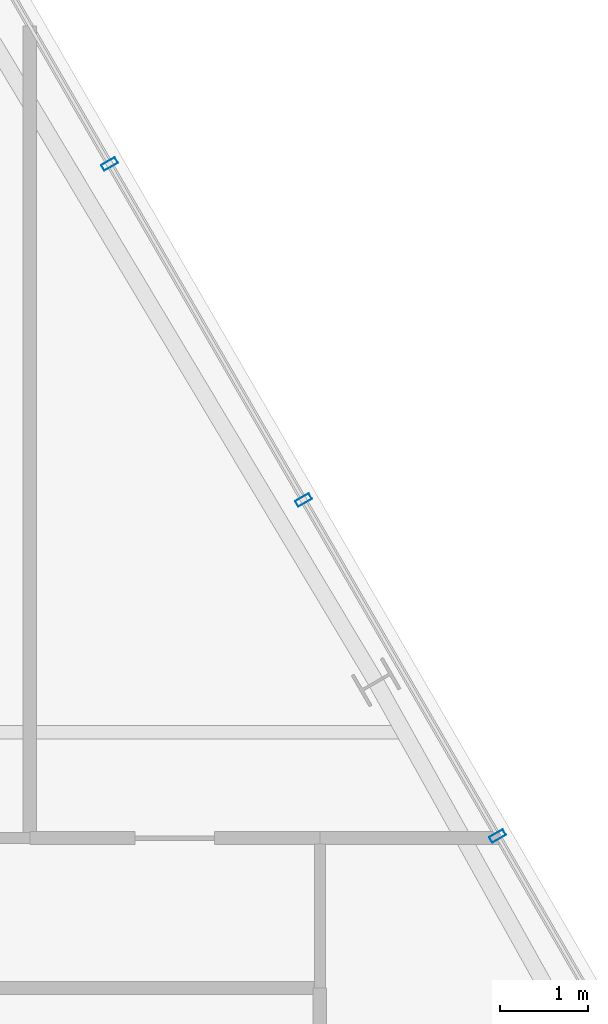
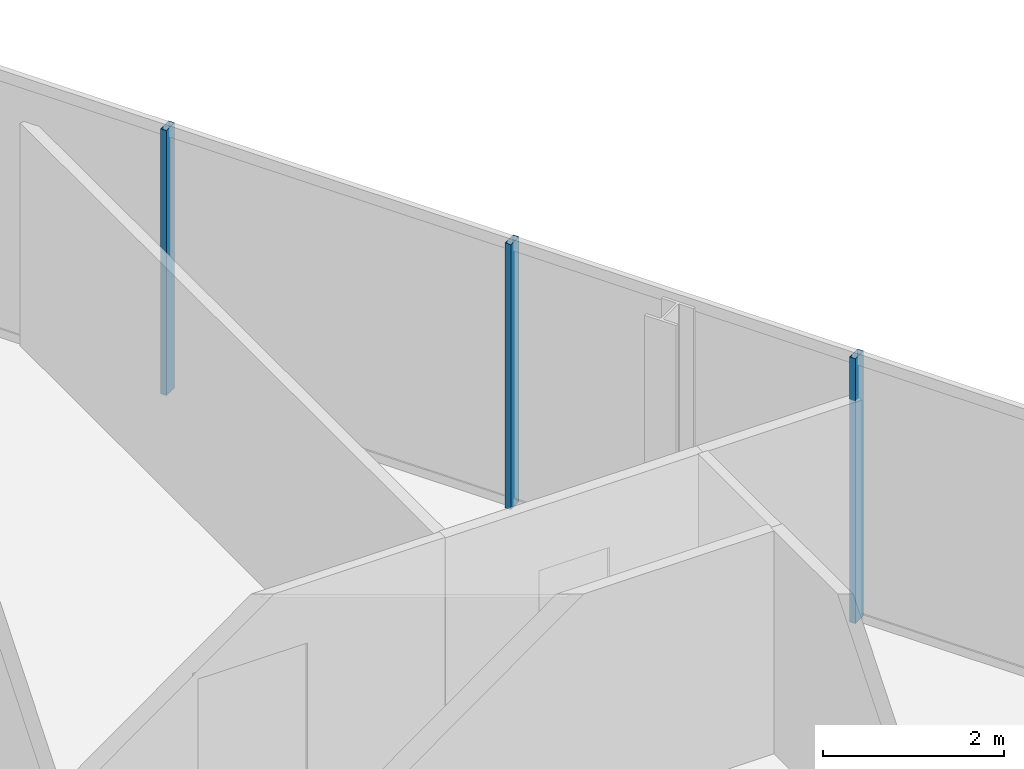
# One storey, part 24 of 32: 3 members, 1 element without a shape of its own.
"""IFC4 building model written with IfcOpenShell, lengths in metres."""

from ifc_helpers import new_model, si_unit, direction, frame, origin, origin_2d, place, context, subcontext, project, spatial, hollow_rectangle, extrude, material, layer, layer_set, material_profile, profile_set, type_object, element, aggregate, save


model = new_model("IFC4")

# Units and contexts
model_context = context("Model", 3, precision=1e-05, world=origin(), true_north=direction((0.0, 1.0)))
body_context = subcontext(model_context, "Body", "Model", "MODEL_VIEW")
ifc_project = project(units=[si_unit("LENGTHUNIT", "METRE"), si_unit("AREAUNIT", "SQUARE_METRE"), si_unit("VOLUMEUNIT", "CUBIC_METRE"), si_unit("PLANEANGLEUNIT", "RADIAN"), si_unit("MASSUNIT", "GRAM", prefix="KILO")], contexts=[model_context])

# Site, building, storey
site_placement = place(None, origin())
site = spatial("IfcSite", under=ifc_project, at=site_placement, CompositionType="ELEMENT")
building_placement = place(site_placement, origin())
building = spatial("IfcBuilding", under=site, at=building_placement, Name="Ndaravel Arena Tower", CompositionType="ELEMENT")
storey_placement = place(building_placement, frame((0.0, 0.0, 256.0)))
storey = spatial("IfcBuildingStorey", under=building, at=storey_placement, Name="L62", CompositionType="ELEMENT", Elevation=256.0)

# Curtain wall, members
ifc_material_1 = material(Name="Aluminium", Category="aluminium")
ifc_layer = layer(ifc_material_1, 0.179931640625)
ifc_layer_set = layer_set([ifc_layer], Name="Aluminium")
curtain_wall_type = type_object("IfcCurtainWallType", Name="CW-SYS-03", PredefinedType="NOTDEFINED", material=ifc_layer_set)
curtain_wall_placement = place(storey_placement, origin())
curtain_wall = element("IfcCurtainWall", 1, at=curtain_wall_placement, inside=storey, type_object=curtain_wall_type, Name="L62 Faceted Crystal Curtain Wall CW-L62-E03", PredefinedType="NOTDEFINED")
ifc_material_2 = material(Name="Aluminium", Category="aluminium")
ifc_material_profile = material_profile(ifc_material_2, hollow_rectangle(XDim=0.074951171875, YDim=0.179931640625, WallThickness=0.00390625, at=origin_2d()), Name="CW MULLION 75x180x4")
ifc_profile_set = profile_set([ifc_material_profile], Name="Aluminium")
member_type = type_object("IfcMemberType", Name="MEM-CW-MUL180", PredefinedType="MULLION", material=ifc_profile_set)
member_1_placement = place(storey_placement, frame((56.015380859375, 25.6240234375, 0.0), z_axis=(0.0, 0.0, 1.0), x_axis=(-0.5, 0.866025403784, 0.0)))
member_1 = element("IfcMember", 2, at=member_1_placement, type_object=member_type, Name="CW-L62-E03 Mullion 04", PredefinedType="MULLION", context=body_context, shape_type="SweptSolid", body=[
    extrude(hollow_rectangle(XDim=0.074951171875, YDim=0.179931640625, WallThickness=0.00390625, at=origin_2d()), origin(), (0.0, 0.0, 1.0), 3.580078125),
])
member_2_placement = place(storey_placement, frame((53.81494140625, 29.435302734375, 0.0), z_axis=(0.0, 0.0, 1.0), x_axis=(-0.5, 0.866025403784, 0.0)))
member_2 = element("IfcMember", 3, at=member_2_placement, type_object=member_type, Name="CW-L62-E03 Mullion 05", PredefinedType="MULLION", context=body_context, shape_type="SweptSolid", body=[
    extrude(hollow_rectangle(XDim=0.074951171875, YDim=0.179931640625, WallThickness=0.00390625, at=origin_2d()), origin(), (0.0, 0.0, 1.0), 3.580078125),
])
member_3_placement = place(storey_placement, frame((51.61474609375, 33.246337890625, 0.0), z_axis=(0.0, 0.0, 1.0), x_axis=(-0.5, 0.866025403784, 0.0)))
member_3 = element("IfcMember", 4, at=member_3_placement, type_object=member_type, Name="CW-L62-E03 Mullion 06", PredefinedType="MULLION", context=body_context, shape_type="SweptSolid", body=[
    extrude(hollow_rectangle(XDim=0.074951171875, YDim=0.179931640625, WallThickness=0.00390625, at=origin_2d()), origin(), (0.0, 0.0, 1.0), 3.580078125),
])
aggregate(curtain_wall, [member_1, member_2, member_3])

save(model, "model.ifc")
